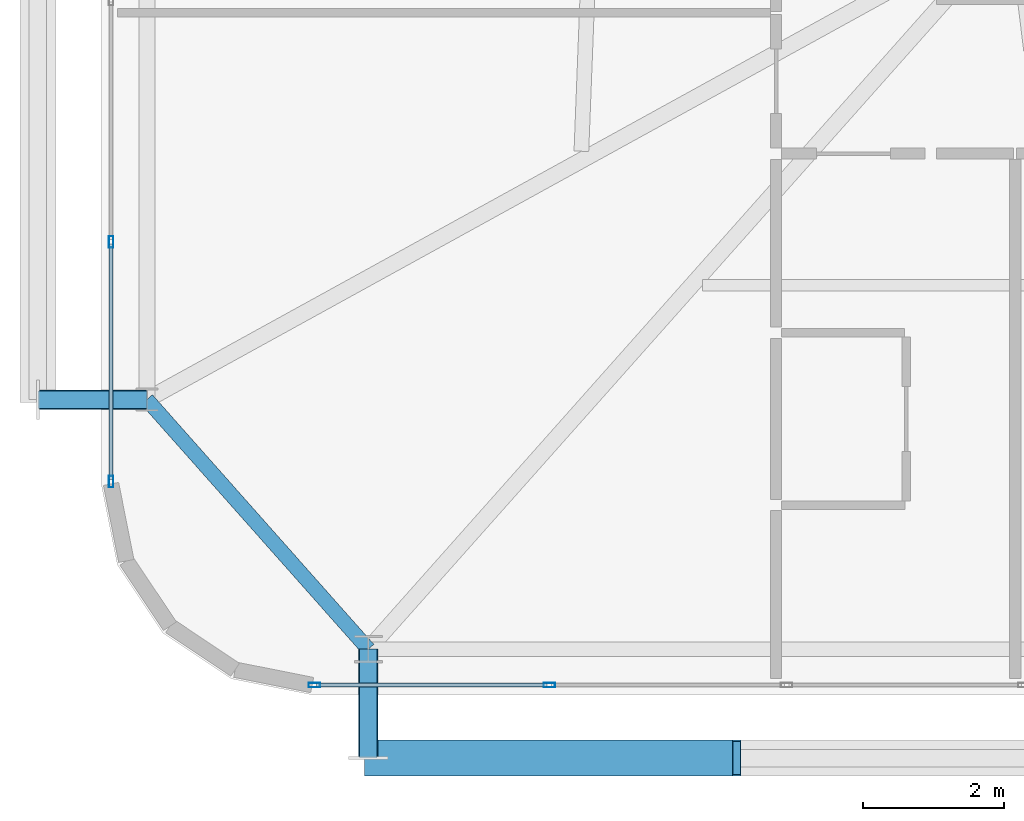
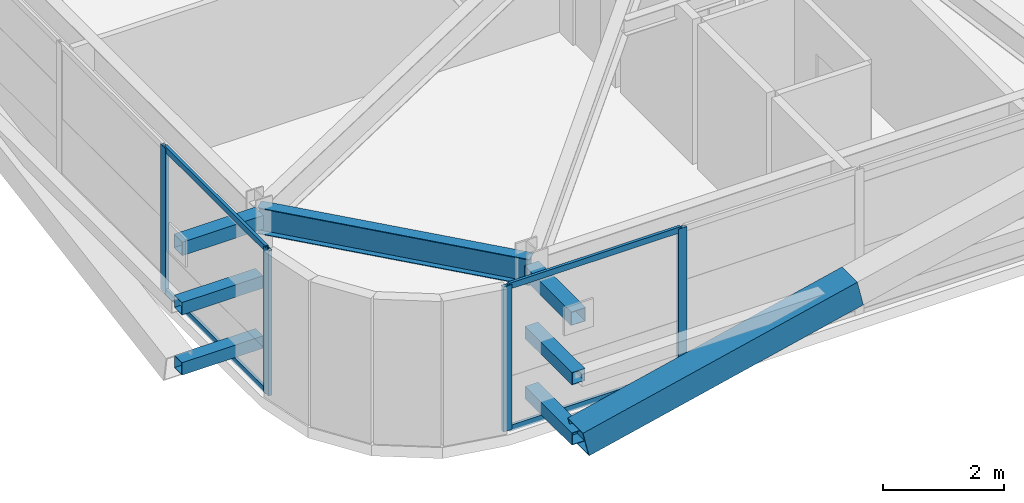
# One storey, part 5 of 58: 15 members, 1 beam, 2 elements without a shape of their own.
"""IFC4 building model written with IfcOpenShell, lengths in metres."""

from ifc_helpers import new_model, si_unit, direction, frame, origin, origin_2d, place, context, subcontext, project, spatial, hollow_rectangle, i_section, extrude, source, transform, mapped, material, layer, layer_set, material_profile, profile_set, type_object, element, aggregate, save


model = new_model("IFC4")

# Units and contexts
model_context = context("Model", 3, precision=1e-05, world=origin(), true_north=direction((0.0, 1.0)))
body_context = subcontext(model_context, "Body", "Model", "MODEL_VIEW")
ifc_project = project(units=[si_unit("LENGTHUNIT", "METRE"), si_unit("AREAUNIT", "SQUARE_METRE"), si_unit("VOLUMEUNIT", "CUBIC_METRE"), si_unit("PLANEANGLEUNIT", "RADIAN"), si_unit("MASSUNIT", "GRAM", prefix="KILO")], contexts=[model_context])

# Site, building, storey
site_placement = place(None, origin())
site = spatial("IfcSite", under=ifc_project, at=site_placement, CompositionType="ELEMENT")
building_placement = place(site_placement, origin())
building = spatial("IfcBuilding", under=site, at=building_placement, Name="Taldren Reach Tower", CompositionType="ELEMENT")
storey_placement = place(building_placement, frame((0.0, 0.0, 35.699951171875)))
storey = spatial("IfcBuildingStorey", under=building, at=storey_placement, Name="L10", CompositionType="ELEMENT", Elevation=35.699951171875)

# Beam
ifc_material_1 = material(Name="Steel Gr 350 (350PLUS)", Category="steel")
ifc_material_profile_1 = material_profile(ifc_material_1, i_section(OverallWidth=0.208984375, OverallDepth=0.528076171875, WebThickness=0.009521484375, FlangeThickness=0.01318359375, at=origin_2d()), Name="530UB82.0")
ifc_profile_set_1 = profile_set([ifc_material_profile_1], Name="Steel Gr 350 (350PLUS)")
beam_type = type_object("IfcBeamType", Name="SP-UB530B", PredefinedType="SPANDREL", material=ifc_profile_set_1)
shared_shape_1 = source(origin(), body_context, "Body", "SweptSolid", [
    extrude(i_section(OverallWidth=0.208984375, OverallDepth=0.528076171875, WebThickness=0.009521484375, FlangeThickness=0.01318359375, at=origin_2d()), origin(), (0.0, 0.0, 1.0), 4.74609375),
])
beam_placement = place(storey_placement, frame((5.64990234375, 5.699951171875, 2.666015625), z_axis=(0.663721843779, -0.747979487747, 0.0), x_axis=(0.747979487747, 0.663721843779, 0.0)))
element("IfcBeam", 1, at=beam_placement, inside=storey, type_object=beam_type, Name="Perimeter spandrel B1 W1-S1 L10", PredefinedType="SPANDREL", context=body_context, shape_type="MappedRepresentation", body=[
    mapped(shared_shape_1, transform((0.0, 0.0, 0.0), scale=1.0)),
])

# Members
ifc_material_2 = material(Name="Steel Gr 450 (C450L0)", Category="steel")
ifc_material_profile_2 = material_profile(ifc_material_2, hollow_rectangle(XDim=0.27490234375, YDim=0.27490234375, WallThickness=0.00927734375, at=origin_2d()), Name="275x275x9.3SHS")
ifc_profile_set_2 = profile_set([ifc_material_profile_2], Name="Steel Gr 450 (C450L0)")
member_type_1 = type_object("IfcMemberType", Name="MB-TIE273", PredefinedType="STRUT", material=ifc_profile_set_2)
shared_shape_2 = source(origin(), body_context, "Body", "SweptSolid", [
    extrude(hollow_rectangle(XDim=0.27490234375, YDim=0.27490234375, WallThickness=0.00927734375, at=origin_2d()), origin(), (0.0, 0.0, 1.0), 1.5498046875),
])
for number, where, z_axis, x_axis, name in (
    (2, (8.800048828125, 2.14990234375, 2.650146484375), (0.0, -1.0, 0.0), (1.0, 0.0, 0.0), "Exoskeleton diaphragm tie strut B1-S1 L10"),
    (3, (5.64990234375, 5.699951171875, 2.650146484375), (-1.0, 0.0, 0.0), (0.0, -1.0, 0.0), "Exoskeleton diaphragm tie strut B1-W1 L10"),
):
    element("IfcMember", number, at=place(storey_placement, frame(where, z_axis=z_axis, x_axis=x_axis)), inside=storey, type_object=member_type_1, Name=name, PredefinedType="STRUT", context=body_context, shape_type="MappedRepresentation", body=[
        mapped(shared_shape_2, transform((0.0, 0.0, 0.0), scale=1.0)),
    ])
ifc_material_profile_3 = material_profile(ifc_material_2, hollow_rectangle(XDim=0.510009765625, YDim=0.510009765625, WallThickness=0.02001953125, at=origin_2d()), Name="510x510x20.0SHS")
ifc_profile_set_3 = profile_set([ifc_material_profile_3], Name="Steel Gr 450 (C450L0)")
member_type_2 = type_object("IfcMemberType", Name="MB-EXO508", PredefinedType="BRACE", material=ifc_profile_set_3)
shared_shape_3 = source(origin(), body_context, "Body", "SweptSolid", [
    extrude(hollow_rectangle(XDim=0.510009765625, YDim=0.510009765625, WallThickness=0.02001953125, at=origin_2d()), origin(), (0.0, 0.0, 1.0), 5.37890625),
])
member_1_placement = place(storey_placement, frame((8.800048828125, 0.60009765625, 0.219970703125), z_axis=(0.97415197996, 0.0, 0.225893603143), x_axis=(0.0, 1.0, 0.0)))
element("IfcMember", 4, at=member_1_placement, inside=storey, type_object=member_type_2, Name="Exoskeleton Diagrid Brace B1-S1 L10", PredefinedType="BRACE", context=body_context, shape_type="MappedRepresentation", body=[
    mapped(shared_shape_3, transform((0.0, 0.0, 0.0), scale=1.0)),
])
ifc_material_3 = material(Name="Steel Gr 350 (C350L0)", Category="steel")
ifc_material_profile_4 = material_profile(ifc_material_3, hollow_rectangle(XDim=0.25, YDim=0.25, WallThickness=0.010009765625, at=origin_2d()), Name="250x250x10.0SHS")
ifc_profile_set_4 = profile_set([ifc_material_profile_4], Name="Steel Gr 350 (C350L0)")
member_type_3 = type_object("IfcMemberType", Name="MB-POST250", PredefinedType="POST", material=ifc_profile_set_4)
shared_shape_4 = source(origin(), body_context, "Body", "SweptSolid", [
    extrude(hollow_rectangle(XDim=0.25, YDim=0.25, WallThickness=0.010009765625, at=origin_2d()), origin(), (0.0, 0.0, 1.0), 1.5498046875),
])
for number, where, z_axis, x_axis, name in (
    (5, (8.800048828125, 2.14990234375, 0.219970703125), (0.0, -1.0, 0.0), (1.0, 0.0, 0.0), "Exoskeleton base diaphragm tie strut B1-S1 L10"),
    (6, (5.64990234375, 5.699951171875, 0.219970703125), (-1.0, 0.0, 0.0), (0.0, -1.0, 0.0), "Exoskeleton base diaphragm tie strut B1-W1 L10"),
    (7, (8.800048828125, 2.14990234375, 1.43505859375), (0.0, -1.0, 0.0), (1.0, 0.0, 0.0), "Exoskeleton mid-tier diaphragm tie B1-S1 L10"),
    (8, (5.64990234375, 5.699951171875, 1.43505859375), (-1.0, 0.0, 0.0), (0.0, -1.0, 0.0), "Exoskeleton mid-tier diaphragm tie B1-W1 L10"),
):
    element("IfcMember", number, at=place(storey_placement, frame(where, z_axis=z_axis, x_axis=x_axis)), inside=storey, type_object=member_type_3, Name=name, PredefinedType="POST", context=body_context, shape_type="MappedRepresentation", body=[
        mapped(shared_shape_4, transform((0.0, 0.0, 0.0), scale=1.0)),
    ])

# Curtain wall, members
ifc_material_4 = material(Name="Aluminium and Low-E Glass Unitised System", Category="aluminium")
ifc_layer = layer(ifc_material_4, 0.159912109375)
ifc_layer_set = layer_set([ifc_layer], Name="Aluminium and Low-E Glass Unitised System")
curtain_wall_type = type_object("IfcCurtainWallType", Name="CW-SYS-2", PredefinedType="NOTDEFINED", material=ifc_layer_set)
curtain_wall_1_placement = place(storey_placement, origin())
curtain_wall_1 = element("IfcCurtainWall", 9, at=curtain_wall_1_placement, inside=storey, type_object=curtain_wall_type, Name="Unitised curtain wall CW-L10-S", PredefinedType="NOTDEFINED")
ifc_material_5 = material(Name="Anodised Aluminium 6063-T6", Category="aluminium")
ifc_material_profile_5 = material_profile(ifc_material_5, hollow_rectangle(XDim=0.06494140625, YDim=0.1650390625, WallThickness=0.00390625, at=origin_2d()), Name="ALU-165x65x4RHS")
ifc_profile_set_5 = profile_set([ifc_material_profile_5], Name="Anodised Aluminium 6063-T6")
member_type_4 = type_object("IfcMemberType", Name="CW-MUL-165", PredefinedType="MULLION", material=ifc_profile_set_5)
shared_shape_5 = source(origin(), body_context, "Body", "SweptSolid", [
    extrude(hollow_rectangle(XDim=0.06494140625, YDim=0.1650390625, WallThickness=0.00390625, at=origin_2d()), origin(), (0.0, 0.0, 1.0), 2.929931640625),
])
member_2_placement = place(storey_placement, frame((8.032470703125, 1.639892578125, 0.0), z_axis=(0.0, 0.0, 1.0), x_axis=(0.0, 1.0, 0.0)))
member_2 = element("IfcMember", 10, at=member_2_placement, type_object=member_type_4, Name="CW-2 mullion 1", PredefinedType="MULLION", context=body_context, shape_type="MappedRepresentation", body=[
    mapped(shared_shape_5, transform((0.0, 0.0, 0.0), scale=1.0)),
])
member_3_placement = place(storey_placement, frame((11.375, 1.639892578125, 0.0), z_axis=(0.0, 0.0, 1.0), x_axis=(0.0, 1.0, 0.0)))
member_3 = element("IfcMember", 11, at=member_3_placement, type_object=member_type_4, Name="CW-2 mullion 2", PredefinedType="MULLION", context=body_context, shape_type="MappedRepresentation", body=[
    mapped(shared_shape_5, transform((0.0, 0.0, 0.0), scale=1.0)),
])

curtain_wall_2_placement = place(storey_placement, origin())
curtain_wall_2 = element("IfcCurtainWall", 12, at=curtain_wall_2_placement, inside=storey, type_object=curtain_wall_type, Name="Unitised curtain wall CW-L10-W", PredefinedType="NOTDEFINED")
member_4_placement = place(storey_placement, frame((5.139892578125, 7.9443359375, 0.0), z_axis=(0.0, 0.0, 1.0), x_axis=(1.0, 0.0, 0.0)))
member_4 = element("IfcMember", 13, at=member_4_placement, type_object=member_type_4, Name="CW-2 mullion 9", PredefinedType="MULLION", context=body_context, shape_type="MappedRepresentation", body=[
    mapped(shared_shape_5, transform((0.0, 0.0, 0.0), scale=1.0)),
])
member_5_placement = place(storey_placement, frame((5.139892578125, 4.532470703125, 0.0), z_axis=(0.0, 0.0, 1.0), x_axis=(1.0, 0.0, 0.0)))
member_5 = element("IfcMember", 14, at=member_5_placement, type_object=member_type_4, Name="CW-2 mullion 10", PredefinedType="MULLION", context=body_context, shape_type="MappedRepresentation", body=[
    mapped(shared_shape_5, transform((0.0, 0.0, 0.0), scale=1.0)),
])

# Member
ifc_material_profile_6 = material_profile(ifc_material_5, hollow_rectangle(XDim=0.054931640625, YDim=0.1201171875, WallThickness=0.0029296875, at=origin_2d()), Name="ALU-120x55x3RHS")
ifc_profile_set_6 = profile_set([ifc_material_profile_6], Name="Anodised Aluminium 6063-T6")
member_type_5 = type_object("IfcMemberType", Name="CW-TRN-135", PredefinedType="USERDEFINED", material=ifc_profile_set_6)
shared_shape_6 = source(origin(), body_context, "Body", "SweptSolid", [
    extrude(hollow_rectangle(XDim=0.054931640625, YDim=0.1201171875, WallThickness=0.0029296875, at=origin_2d()), origin(), (0.0, 0.0, 1.0), 3.277587890625),
])
member_6_placement = place(storey_placement, frame((8.06494140625, 1.639892578125, 0.027587890625), z_axis=(1.0, 0.0, 0.0), x_axis=(0.0, 1.0, 0.0)))
member_6 = element("IfcMember", 15, at=member_6_placement, type_object=member_type_5, Name="CW-2 transom 1.1", ObjectType="TRANSOM", PredefinedType="USERDEFINED", context=body_context, shape_type="MappedRepresentation", body=[
    mapped(shared_shape_6, transform((0.0, 0.0, 0.0), scale=1.0)),
])

member_7_placement = place(storey_placement, frame((8.06494140625, 1.639892578125, 2.902587890625), z_axis=(1.0, 0.0, 0.0), x_axis=(0.0, 1.0, 0.0)))
member_7 = element("IfcMember", 16, at=member_7_placement, type_object=member_type_5, Name="CW-2 transom 1.2", ObjectType="TRANSOM", PredefinedType="USERDEFINED", context=body_context, shape_type="MappedRepresentation", body=[
    mapped(shared_shape_6, transform((0.0, 0.0, 0.0), scale=1.0)),
])

aggregate(curtain_wall_1, [member_2, member_3, member_6, member_7])

shared_shape_7 = source(origin(), body_context, "Body", "SweptSolid", [
    extrude(hollow_rectangle(XDim=0.054931640625, YDim=0.1201171875, WallThickness=0.0029296875, at=origin_2d()), origin(), (0.0, 0.0, 1.0), 3.346923828125),
])
member_8_placement = place(storey_placement, frame((5.139892578125, 7.911865234375, 0.027587890625), z_axis=(0.0, -1.0, 0.0), x_axis=(1.0, 0.0, 0.0)))
member_8 = element("IfcMember", 17, at=member_8_placement, type_object=member_type_5, Name="CW-2 transom 9.1", ObjectType="TRANSOM", PredefinedType="USERDEFINED", context=body_context, shape_type="MappedRepresentation", body=[
    mapped(shared_shape_7, transform((0.0, 0.0, 0.0), scale=1.0)),
])

member_9_placement = place(storey_placement, frame((5.139892578125, 7.911865234375, 2.902587890625), z_axis=(0.0, -1.0, 0.0), x_axis=(1.0, 0.0, 0.0)))
member_9 = element("IfcMember", 18, at=member_9_placement, type_object=member_type_5, Name="CW-2 transom 9.2", ObjectType="TRANSOM", PredefinedType="USERDEFINED", context=body_context, shape_type="MappedRepresentation", body=[
    mapped(shared_shape_7, transform((0.0, 0.0, 0.0), scale=1.0)),
])

aggregate(curtain_wall_2, [member_4, member_5, member_8, member_9])

save(model, "model.ifc")
